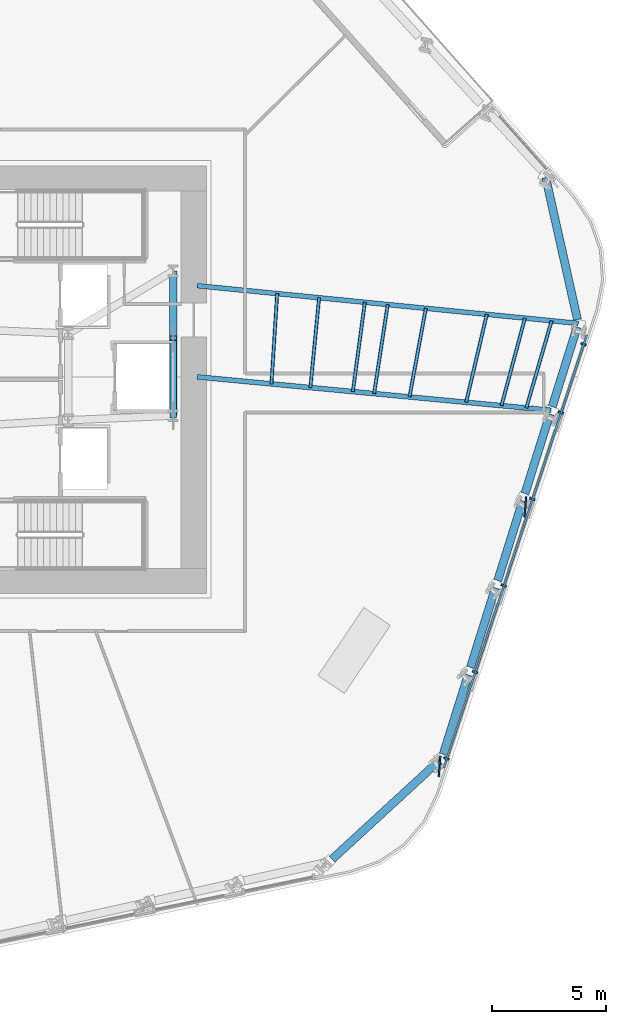
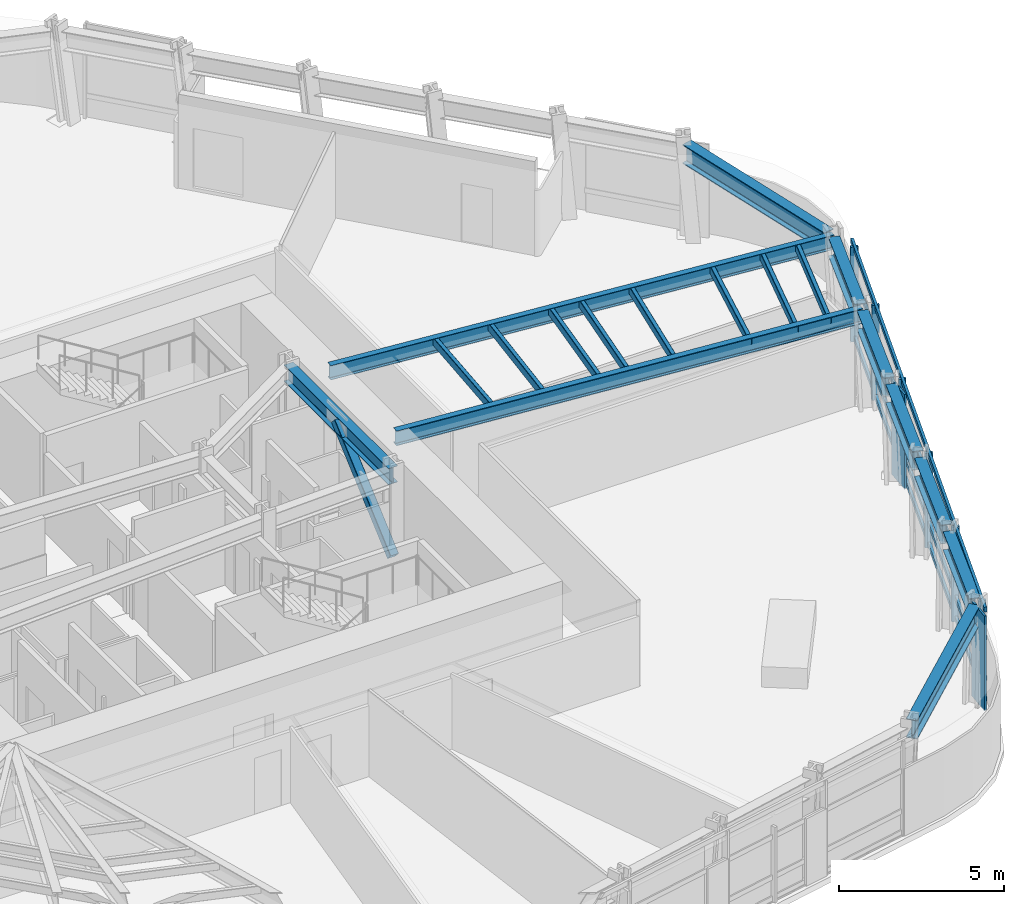
# One storey, part 4 of 17: 21 members, 10 beams, 1 element without a shape of its own.
"""IFC4 building model written with IfcOpenShell, lengths in metres."""

from ifc_helpers import new_model, si_unit, direction, frame, origin, origin_2d, place, context, subcontext, project, spatial, rectangle, hollow_rectangle, i_section, extrude, material, layer, layer_set, material_profile, profile_set, type_object, element, aggregate, save


model = new_model("IFC4")

# Units and contexts
model_context = context("Model", 3, precision=1e-05, world=origin(), true_north=direction((0.0, 1.0)))
body_context = subcontext(model_context, "Body", "Model", "MODEL_VIEW")
ifc_project = project(units=[si_unit("LENGTHUNIT", "METRE"), si_unit("AREAUNIT", "SQUARE_METRE"), si_unit("VOLUMEUNIT", "CUBIC_METRE"), si_unit("PLANEANGLEUNIT", "RADIAN"), si_unit("MASSUNIT", "GRAM", prefix="KILO")], contexts=[model_context])

# Site, building, storey
site_placement = place(None, origin())
site = spatial("IfcSite", under=ifc_project, at=site_placement, CompositionType="ELEMENT")
building_placement = place(site_placement, origin())
building = spatial("IfcBuilding", under=site, at=building_placement, Name="Valkerne Bourse Tower", CompositionType="ELEMENT")
storey_placement = place(building_placement, frame((0.0, 0.0, 73.39990234375)))
storey = spatial("IfcBuildingStorey", under=building, at=storey_placement, Name="L18", CompositionType="ELEMENT", Elevation=73.39990234375)

# Beams
ifc_material_1 = material(Name="Steel ASTM A992", Category="steel")
ifc_material_profile_1 = material_profile(ifc_material_1, i_section(OverallWidth=0.209228515625, OverallDepth=0.533447265625, WebThickness=0.01025390625, FlangeThickness=0.015625, FilletRadius=0.017822265625, at=origin_2d()), Name="W21X62")
ifc_profile_set_1 = profile_set([ifc_material_profile_1], Name="Steel ASTM A992")
beam_type_1 = type_object("IfcBeamType", Name="BM-W21X62", PredefinedType="JOIST", material=ifc_profile_set_1)
beam_1_placement = place(storey_placement, frame((72.719970703125, 29.34619140625, 3.25341796875), z_axis=(-0.995143795781, 0.098431832848, 0.0), x_axis=(-0.098431832848, -0.995143795781, 0.0)))
element("IfcBeam", 1, at=beam_1_placement, inside=storey, type_object=beam_type_1, Name="L18 Radial Composite Floor Beam 35", PredefinedType="JOIST", context=body_context, shape_type="SweptSolid", body=[
    extrude(i_section(OverallWidth=0.209228515625, OverallDepth=0.533447265625, WebThickness=0.01025390625, FlangeThickness=0.015625, FilletRadius=0.017822265625, at=origin_2d()), origin(), (0.0, 0.0, 1.0), 16.801513671875),
])
ifc_material_profile_2 = material_profile(ifc_material_1, i_section(OverallWidth=0.2138671875, OverallDepth=0.548583984375, WebThickness=0.0146484375, FlangeThickness=0.023681640625, FilletRadius=0.017822265625, at=origin_2d()), Name="W21X93")
ifc_profile_set_2 = profile_set([ifc_material_profile_2], Name="Steel ASTM A992")
beam_type_2 = type_object("IfcBeamType", Name="BM-W21X93", PredefinedType="BEAM", material=ifc_profile_set_2)
beam_2_placement = place(storey_placement, frame((71.52490234375, 25.533203125, 3.245849609375), z_axis=(-0.99556640032, 0.094061376523, 0.0), x_axis=(-0.094061376523, -0.99556640032, 0.0)))
element("IfcBeam", 2, at=beam_2_placement, inside=storey, type_object=beam_type_2, Name="L18 Radial Composite Floor Beam 34", PredefinedType="BEAM", context=body_context, shape_type="SweptSolid", body=[
    extrude(i_section(OverallWidth=0.2138671875, OverallDepth=0.548583984375, WebThickness=0.0146484375, FlangeThickness=0.023681640625, FilletRadius=0.017822265625, at=origin_2d()), origin(), (0.0, 0.0, 1.0), 15.593994140625),
])
ifc_material_profile_3 = material_profile(ifc_material_1, i_section(OverallWidth=0.3251953125, OverallDepth=0.612060546875, WebThickness=0.0126953125, FlangeThickness=0.01904296875, FilletRadius=0.020263671875, at=origin_2d()), Name="W24X104")
ifc_profile_set_3 = profile_set([ifc_material_profile_3], Name="Steel ASTM A992")
beam_type_3 = type_object("IfcBeamType", Name="BM-W24X104", PredefinedType="BEAM", material=ifc_profile_set_3)
beam_3_placement = place(storey_placement, frame((54.949951171875, 25.300048828125, 3.214111328125), z_axis=(0.0, 1.0, 0.0), x_axis=(-1.0, 0.0, 0.0)))
element("IfcBeam", 3, at=beam_3_placement, inside=storey, type_object=beam_type_3, Name="L18 Core Frame Girder CG-EE", PredefinedType="BEAM", context=body_context, shape_type="SweptSolid", body=[
    extrude(i_section(OverallWidth=0.3251953125, OverallDepth=0.612060546875, WebThickness=0.0126953125, FlangeThickness=0.01904296875, FilletRadius=0.020263671875, at=origin_2d()), origin(), (0.0, 0.0, 1.0), 6.349853515625),
])
ifc_material_profile_4 = material_profile(ifc_material_1, i_section(OverallWidth=0.358154296875, OverallDepth=0.7060546875, WebThickness=0.018310546875, FlangeThickness=0.0302734375, FilletRadius=0.02294921875, at=origin_2d()), Name="W27X178")
ifc_profile_set_4 = profile_set([ifc_material_profile_4], Name="Steel ASTM A992")
beam_type_4 = type_object("IfcBeamType", Name="BM-W27X178", PredefinedType="SPANDREL", material=ifc_profile_set_4)
beam_4_placement = place(storey_placement, frame((61.9169921875, 5.8408203125, 3.1669921875), z_axis=(0.73611909713, 0.676852033195, 0.0), x_axis=(-0.676852033195, 0.73611909713, 0.0)))
element("IfcBeam", 4, at=beam_4_placement, inside=storey, type_object=beam_type_4, Name="L18 Hexagonal Spandrel Ring Beam 29", PredefinedType="SPANDREL", context=body_context, shape_type="SweptSolid", body=[
    extrude(i_section(OverallWidth=0.358154296875, OverallDepth=0.7060546875, WebThickness=0.018310546875, FlangeThickness=0.0302734375, FilletRadius=0.02294921875, at=origin_2d()), origin(), (0.0, 0.0, 1.0), 6.38916015625),
])
for number, where, z_axis, x_axis, name in (
    (5, (66.7958984375, 10.442626953125, 3.1669921875), (0.299027746535, 0.9542444167, 0.0), (-0.9542444167, 0.299027746535, 0.0), "L18 Hexagonal Spandrel Ring Beam 30"),
    (6, (67.99072265625, 14.255859375, 3.1669921875), (0.299088550744, 0.954225360601, 0.0), (-0.954225360601, 0.299088550744, 0.0), "L18 Hexagonal Spandrel Ring Beam 31"),
    (7, (69.185791015625, 18.069091796875, 3.1669921875), (0.299088550744, 0.954225360601, 0.0), (-0.954225360601, 0.299088550744, 0.0), "L18 Hexagonal Spandrel Ring Beam 32"),
    (8, (70.380859375, 21.882080078125, 3.1669921875), (0.299027746535, 0.9542444167, 0.0), (-0.9542444167, 0.299027746535, 0.0), "L18 Hexagonal Spandrel Ring Beam 33"),
    (9, (71.57568359375, 25.6953125, 3.1669921875), (0.299088550744, 0.954225360601, 0.0), (-0.954225360601, 0.299088550744, 0.0), "L18 Hexagonal Spandrel Ring Beam 34"),
):
    element("IfcBeam", number, at=place(storey_placement, frame(where, z_axis=z_axis, x_axis=x_axis)), inside=storey, type_object=beam_type_4, Name=name, PredefinedType="SPANDREL", context=body_context, shape_type="SweptSolid", body=[
        extrude(i_section(OverallWidth=0.358154296875, OverallDepth=0.7060546875, WebThickness=0.018310546875, FlangeThickness=0.0302734375, FilletRadius=0.02294921875, at=origin_2d()), origin(), (0.0, 0.0, 1.0), 3.656005859375),
    ])
beam_5_placement = place(storey_placement, frame((72.682861328125, 29.51220703125, 3.1669921875), z_axis=(-0.218156239715, 0.97591385638, 0.0), x_axis=(-0.97591385638, -0.218156239715, 0.0)))
element("IfcBeam", 10, at=beam_5_placement, inside=storey, type_object=beam_type_4, Name="L18 Hexagonal Spandrel Ring Beam 35", PredefinedType="SPANDREL", context=body_context, shape_type="SweptSolid", body=[
    extrude(i_section(OverallWidth=0.358154296875, OverallDepth=0.7060546875, WebThickness=0.018310546875, FlangeThickness=0.0302734375, FilletRadius=0.02294921875, at=origin_2d()), origin(), (0.0, 0.0, 1.0), 6.388916015625),
])

# Curtain wall, members
ifc_material_2 = material(Name="Aluminium AA 6063-T6", Category="aluminium")
ifc_layer = layer(ifc_material_2, 0.22509765625)
ifc_layer_set = layer_set([ifc_layer], Name="Aluminium AA 6063-T6")
curtain_wall_type = type_object("IfcCurtainWallType", Name="CW-01", PredefinedType="NOTDEFINED", material=ifc_layer_set)
curtain_wall_placement = place(storey_placement, origin())
curtain_wall = element("IfcCurtainWall", 11, at=curtain_wall_placement, inside=storey, type_object=curtain_wall_type, Name="L18 Hexagonal Stick Curtain Wall Face 6", PredefinedType="NOTDEFINED")
ifc_material_profile_5 = material_profile(ifc_material_2, rectangle(XDim=0.090087890625, YDim=0.239990234375, at=origin_2d()), Name="CWM-90X240")
ifc_profile_set_5 = profile_set([ifc_material_profile_5], Name="Aluminium AA 6063-T6")
member_type_1 = type_object("IfcMemberType", Name="CW-MUL-240X90", PredefinedType="MULLION", material=ifc_profile_set_5)
member_1_placement = place(storey_placement, frame((66.934814453125, 10.26123046875, 0.0), z_axis=(0.0, 0.0, 1.0), x_axis=(0.31398964478, 0.949426407349, 0.0)))
member_1 = element("IfcMember", 12, at=member_1_placement, type_object=member_type_1, Name="CW-L18-F6 Jamb Mullion 00A", PredefinedType="MULLION", context=body_context, shape_type="SweptSolid", body=[
    extrude(rectangle(XDim=0.090087890625, YDim=0.239990234375, at=origin_2d()), origin(), (0.0, 0.0, 1.0), 3.52001953125),
])
member_2_placement = place(storey_placement, frame((68.189453125, 14.05517578125, 0.0), z_axis=(0.0, 0.0, 1.0), x_axis=(0.31398964478, 0.949426407349, 0.0)))
member_2 = element("IfcMember", 13, at=member_2_placement, type_object=member_type_1, Name="CW-L18-F6 Jamb Mullion 01A", PredefinedType="MULLION", context=body_context, shape_type="SweptSolid", body=[
    extrude(rectangle(XDim=0.090087890625, YDim=0.239990234375, at=origin_2d()), origin(), (0.0, 0.0, 1.0), 3.52001953125),
])
member_3_placement = place(storey_placement, frame((69.444091796875, 17.84912109375, 0.0), z_axis=(0.0, 0.0, 1.0), x_axis=(0.31398964478, 0.949426407349, 0.0)))
member_3 = element("IfcMember", 14, at=member_3_placement, type_object=member_type_1, Name="CW-L18-F6 Jamb Mullion 02A", PredefinedType="MULLION", context=body_context, shape_type="SweptSolid", body=[
    extrude(rectangle(XDim=0.090087890625, YDim=0.239990234375, at=origin_2d()), origin(), (0.0, 0.0, 1.0), 3.52001953125),
])
member_4_placement = place(storey_placement, frame((70.69873046875, 21.64306640625, 0.0), z_axis=(0.0, 0.0, 1.0), x_axis=(0.314012202372, 0.949418946915, 0.0)))
member_4 = element("IfcMember", 15, at=member_4_placement, type_object=member_type_1, Name="CW-L18-F6 Jamb Mullion 03A", PredefinedType="MULLION", context=body_context, shape_type="SweptSolid", body=[
    extrude(rectangle(XDim=0.090087890625, YDim=0.239990234375, at=origin_2d()), origin(), (0.0, 0.0, 1.0), 3.52001953125),
])
member_5_placement = place(storey_placement, frame((71.95361328125, 25.43701171875, 0.0), z_axis=(0.0, 0.0, 1.0), x_axis=(0.31398964478, 0.949426407349, 0.0)))
member_5 = element("IfcMember", 16, at=member_5_placement, type_object=member_type_1, Name="CW-L18-F6 Jamb Mullion 04A", PredefinedType="MULLION", context=body_context, shape_type="SweptSolid", body=[
    extrude(rectangle(XDim=0.090087890625, YDim=0.239990234375, at=origin_2d()), origin(), (0.0, 0.0, 1.0), 3.52001953125),
])
member_6_placement = place(storey_placement, frame((72.944580078125, 28.433349609375, 0.0), z_axis=(0.0, 0.0, 1.0), x_axis=(0.31398964478, 0.949426407349, 0.0)))
member_6 = element("IfcMember", 17, at=member_6_placement, type_object=member_type_1, Name="CW-L18-F6 Jamb Mullion 04B", PredefinedType="MULLION", context=body_context, shape_type="SweptSolid", body=[
    extrude(rectangle(XDim=0.090087890625, YDim=0.239990234375, at=origin_2d()), origin(), (0.0, 0.0, 1.0), 3.52001953125),
])
ifc_material_profile_6 = material_profile(ifc_material_2, rectangle(XDim=0.090087890625, YDim=0.179931640625, at=origin_2d()), Name="CWT-90X180")
ifc_profile_set_6 = profile_set([ifc_material_profile_6], Name="Aluminium AA 6063-T6")
member_type_2 = type_object("IfcMemberType", Name="CW-TRN-180X90", PredefinedType="USERDEFINED", material=ifc_profile_set_6)
member_7_placement = place(storey_placement, frame((66.82177734375, 9.856201171875, 0.1201171875), z_axis=(0.313998101867, 0.94942361042, 0.0), x_axis=(-0.94942361042, 0.313998101867, 0.0)))
member_7 = element("IfcMember", 18, at=member_7_placement, type_object=member_type_2, Name="CW-L18-F6 Continuous Face Transom 1", ObjectType="TRANSOM", PredefinedType="USERDEFINED", context=body_context, shape_type="SweptSolid", body=[
    extrude(rectangle(XDim=0.090087890625, YDim=0.179931640625, at=origin_2d()), origin(), (0.0, 0.0, 1.0), 19.97998046875),
])
member_8_placement = place(storey_placement, frame((66.82177734375, 9.856201171875, 0.900146484375), z_axis=(0.313998101867, 0.94942361042, 0.0), x_axis=(-0.94942361042, 0.313998101867, 0.0)))
member_8 = element("IfcMember", 19, at=member_8_placement, type_object=member_type_2, Name="CW-L18-F6 Continuous Face Transom 2", ObjectType="TRANSOM", PredefinedType="USERDEFINED", context=body_context, shape_type="SweptSolid", body=[
    extrude(rectangle(XDim=0.090087890625, YDim=0.179931640625, at=origin_2d()), origin(), (0.0, 0.0, 1.0), 19.97998046875),
])
member_9_placement = place(storey_placement, frame((66.82177734375, 9.856201171875, 2.400146484375), z_axis=(0.313998101867, 0.94942361042, 0.0), x_axis=(-0.94942361042, 0.313998101867, 0.0)))
member_9 = element("IfcMember", 20, at=member_9_placement, type_object=member_type_2, Name="CW-L18-F6 Continuous Face Transom 3", ObjectType="TRANSOM", PredefinedType="USERDEFINED", context=body_context, shape_type="SweptSolid", body=[
    extrude(rectangle(XDim=0.090087890625, YDim=0.179931640625, at=origin_2d()), origin(), (0.0, 0.0, 1.0), 19.97998046875),
])
member_10_placement = place(storey_placement, frame((66.82177734375, 9.856201171875, 3.440185546875), z_axis=(0.313998101867, 0.94942361042, 0.0), x_axis=(-0.94942361042, 0.313998101867, 0.0)))
member_10 = element("IfcMember", 21, at=member_10_placement, type_object=member_type_2, Name="CW-L18-F6 Continuous Face Transom 4", ObjectType="TRANSOM", PredefinedType="USERDEFINED", context=body_context, shape_type="SweptSolid", body=[
    extrude(rectangle(XDim=0.090087890625, YDim=0.179931640625, at=origin_2d()), origin(), (0.0, 0.0, 1.0), 19.97998046875),
])
aggregate(curtain_wall, [member_7, member_8, member_9, member_10, member_1, member_2, member_3, member_4, member_5, member_6])

# Members
ifc_material_3 = material(Name="Bronze Anodised Aluminium AA 6063-T6", Category="aluminium")
ifc_material_profile_7 = material_profile(ifc_material_3, rectangle(XDim=0.070068359375, YDim=0.89990234375, at=origin_2d()), Name="FIN-70X900")
ifc_profile_set_7 = profile_set([ifc_material_profile_7], Name="Bronze Anodised Aluminium AA 6063-T6")
member_type_3 = type_object("IfcMemberType", Name="FIN-SOLAR-900", PredefinedType="USERDEFINED", material=ifc_profile_set_7)
for number, where, z_axis, x_axis, name in (
    (22, (66.6318359375, 9.919189453125, 0.004150390625), (0.0, 0.0, 1.0), (0.9969706138, -0.077779143852, 0.0), "L18 Bronze Anodised Solar Fin F6-00"),
    (23, (70.39599609375, 21.30078125, 0.004150390625), (0.0, 0.0, 1.0), (0.996968833861, -0.077801955695, 0.0), "L18 Bronze Anodised Solar Fin F6-03"),
):
    element("IfcMember", number, at=place(storey_placement, frame(where, z_axis=z_axis, x_axis=x_axis)), inside=storey, type_object=member_type_3, Name=name, ObjectType="SOLAR_FIN", PredefinedType="USERDEFINED", context=body_context, shape_type="SweptSolid", body=[
        extrude(rectangle(XDim=0.070068359375, YDim=0.89990234375, at=origin_2d()), origin(), (0.0, 0.0, 1.0), 3.511962890625),
    ])
ifc_material_4 = material(Name="Steel ASTM A500 Grade C", Category="steel")
ifc_material_profile_8 = material_profile(ifc_material_4, hollow_rectangle(XDim=0.14990234375, YDim=0.300048828125, WallThickness=0.012451171875, OuterFilletRadius=0.02490234375, at=origin_2d()), Name="HSS300X150X12.5")
ifc_profile_set_8 = profile_set([ifc_material_profile_8], Name="Steel ASTM A500 Grade C")
member_type_4 = type_object("IfcMemberType", Name="MBR-HSS300X150X12.5", PredefinedType="PURLIN", material=ifc_profile_set_8)
member_11_placement = place(storey_placement, frame((60.968017578125, 26.530517578125, 3.360107421875), z_axis=(0.096578445911, 0.995325375837, 0.0), x_axis=(-0.995325375837, 0.096578445911, 0.0)))
element("IfcMember", 24, at=member_11_placement, inside=storey, type_object=member_type_4, Name="L18 Secondary Composite Floor Purlin I-34", PredefinedType="PURLIN", context=body_context, shape_type="SweptSolid", body=[
    extrude(hollow_rectangle(XDim=0.14990234375, YDim=0.300048828125, WallThickness=0.012451171875, OuterFilletRadius=0.02490234375, at=origin_2d()), origin(), (0.0, 0.0, 1.0), 3.958740234375),
])
member_12_placement = place(storey_placement, frame((62.8310546875, 26.3544921875, 3.360107421875), z_axis=(0.132968710611, 0.991120235894, 0.0), x_axis=(-0.991120235894, 0.132968710611, 0.0)))
element("IfcMember", 25, at=member_12_placement, inside=storey, type_object=member_type_4, Name="L18 Secondary Composite Floor Purlin K-34", PredefinedType="PURLIN", context=body_context, shape_type="SweptSolid", body=[
    extrude(hollow_rectangle(XDim=0.14990234375, YDim=0.300048828125, WallThickness=0.012451171875, OuterFilletRadius=0.02490234375, at=origin_2d()), origin(), (0.0, 0.0, 1.0), 3.953125),
])
member_13_placement = place(storey_placement, frame((63.762451171875, 26.2666015625, 3.360107421875), z_axis=(0.151170449926, 0.988507711183, 0.0), x_axis=(-0.988507711183, 0.151170449926, 0.0)))
element("IfcMember", 26, at=member_13_placement, inside=storey, type_object=member_type_4, Name="L18 Secondary Composite Floor Purlin M-34", PredefinedType="PURLIN", context=body_context, shape_type="SweptSolid", body=[
    extrude(hollow_rectangle(XDim=0.14990234375, YDim=0.300048828125, WallThickness=0.012451171875, OuterFilletRadius=0.02490234375, at=origin_2d()), origin(), (0.0, 0.0, 1.0), 3.951904296875),
])
member_14_placement = place(storey_placement, frame((67.798828125, 25.88525390625, 3.360107421875), z_axis=(0.229149201089, 0.973391310646, 0.0), x_axis=(-0.973391310646, 0.229149201089, 0.0)))
element("IfcMember", 27, at=member_14_placement, inside=storey, type_object=member_type_4, Name="L18 Secondary Composite Floor Purlin O-34", PredefinedType="PURLIN", context=body_context, shape_type="SweptSolid", body=[
    extrude(hollow_rectangle(XDim=0.14990234375, YDim=0.300048828125, WallThickness=0.012451171875, OuterFilletRadius=0.02490234375, at=origin_2d()), origin(), (0.0, 0.0, 1.0), 3.96337890625),
])
member_15_placement = place(storey_placement, frame((65.31494140625, 26.119873046875, 3.360107421875), z_axis=(0.181368323719, 0.983415238417, 0.0), x_axis=(-0.983415238417, 0.181368323719, 0.0)))
element("IfcMember", 28, at=member_15_placement, inside=storey, type_object=member_type_4, Name="L18 Secondary Composite Floor Purlin Z-34", PredefinedType="PURLIN", context=body_context, shape_type="SweptSolid", body=[
    extrude(hollow_rectangle(XDim=0.14990234375, YDim=0.300048828125, WallThickness=0.012451171875, OuterFilletRadius=0.02490234375, at=origin_2d()), origin(), (0.0, 0.0, 1.0), 3.95361328125),
])
member_16_placement = place(storey_placement, frame((59.26025390625, 26.69189453125, 3.360107421875), z_axis=(0.063239986594, 0.997998348744, 0.0), x_axis=(-0.997998348744, 0.063239986594, 0.0)))
element("IfcMember", 29, at=member_16_placement, inside=storey, type_object=member_type_4, Name="L18 Secondary Composite Floor Purlin S-34", PredefinedType="PURLIN", context=body_context, shape_type="SweptSolid", body=[
    extrude(hollow_rectangle(XDim=0.14990234375, YDim=0.300048828125, WallThickness=0.012451171875, OuterFilletRadius=0.02490234375, at=origin_2d()), origin(), (0.0, 0.0, 1.0), 3.96875),
])
member_17_placement = place(storey_placement, frame((69.351318359375, 25.738525390625, 3.360107421875), z_axis=(0.258603032921, 0.965983680692, 0.0), x_axis=(-0.965983680692, 0.258603032921, 0.0)))
element("IfcMember", 30, at=member_17_placement, inside=storey, type_object=member_type_4, Name="L18 Secondary Composite Floor Purlin T-34", PredefinedType="PURLIN", context=body_context, shape_type="SweptSolid", body=[
    extrude(hollow_rectangle(XDim=0.14990234375, YDim=0.300048828125, WallThickness=0.012451171875, OuterFilletRadius=0.02490234375, at=origin_2d()), origin(), (0.0, 0.0, 1.0), 3.974609375),
])
member_18_placement = place(storey_placement, frame((70.438232421875, 25.6357421875, 3.360107421875), z_axis=(0.278910451382, 0.960317114348, 0.0), x_axis=(-0.960317114348, 0.278910451382, 0.0)))
element("IfcMember", 31, at=member_18_placement, inside=storey, type_object=member_type_4, Name="L18 Secondary Composite Floor Purlin U-34", PredefinedType="PURLIN", context=body_context, shape_type="SweptSolid", body=[
    extrude(hollow_rectangle(XDim=0.14990234375, YDim=0.300048828125, WallThickness=0.012451171875, OuterFilletRadius=0.02490234375, at=origin_2d()), origin(), (0.0, 0.0, 1.0), 3.984619140625),
])
ifc_material_profile_9 = material_profile(ifc_material_4, hollow_rectangle(XDim=0.300048828125, YDim=0.300048828125, WallThickness=0.012451171875, OuterFilletRadius=0.02490234375, at=origin_2d()), Name="HSS300X300X12.5")
ifc_profile_set_9 = profile_set([ifc_material_profile_9], Name="Steel ASTM A500 Grade C")
member_type_5 = type_object("IfcMemberType", Name="MBR-HSS300X300X12.5", PredefinedType="STRUT", material=ifc_profile_set_9)
member_19_placement = place(storey_placement, frame((54.949951171875, 25.300048828125, 0.22021484375), z_axis=(0.0, 0.750496451584, 0.660874478369), x_axis=(-1.0, 0.0, 0.0)))
element("IfcMember", 32, at=member_19_placement, inside=storey, type_object=member_type_5, Name="L18 Core Service Pier Lateral Brace", PredefinedType="STRUT", context=body_context, shape_type="SweptSolid", body=[
    extrude(hollow_rectangle(XDim=0.300048828125, YDim=0.300048828125, WallThickness=0.012451171875, OuterFilletRadius=0.02490234375, at=origin_2d()), origin(), (0.0, 0.0, 1.0), 4.5302734375),
])

save(model, "model.ifc")
